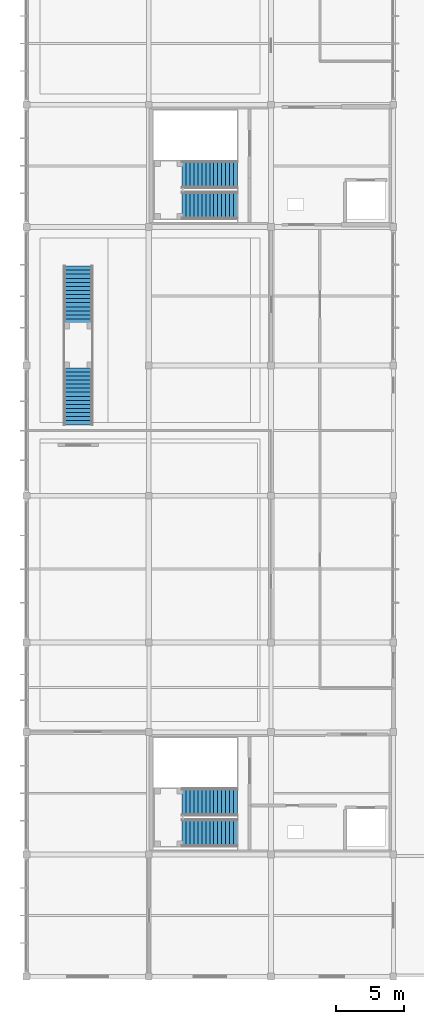
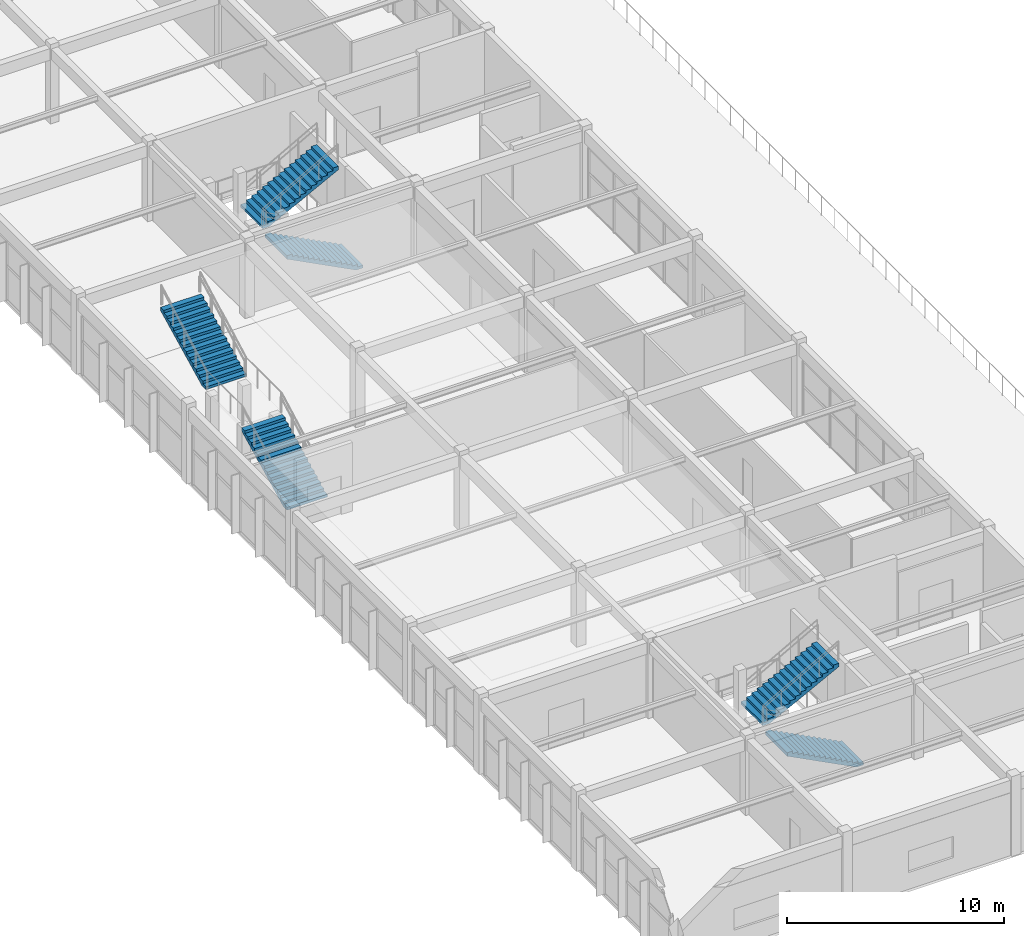
# One storey, part 17 of 22: 6 stair flights, 3 elements without a shape of their own.
"""IFC4 building model written with IfcOpenShell, lengths in metres."""

from ifc_helpers import new_model, si_unit, direction, frame, origin, place, context, subcontext, project, spatial, polyline, outline, extrude, material, type_object, element, aggregate, save


model = new_model("IFC4")

# Units and contexts
model_context = context("Model", 3, precision=1e-05, world=origin(), true_north=direction((0.0, 1.0)))
body_context = subcontext(model_context, "Body", "Model", "MODEL_VIEW")
ifc_project = project(units=[si_unit("LENGTHUNIT", "METRE"), si_unit("AREAUNIT", "SQUARE_METRE"), si_unit("VOLUMEUNIT", "CUBIC_METRE"), si_unit("PLANEANGLEUNIT", "RADIAN"), si_unit("MASSUNIT", "GRAM", prefix="KILO")], contexts=[model_context])

# Site, building, storey
site_placement = place(None, origin())
site = spatial("IfcSite", under=ifc_project, at=site_placement, CompositionType="ELEMENT")
building_placement = place(site_placement, origin())
building = spatial("IfcBuilding", under=site, at=building_placement, Name="Suirenkawa Promenade Aquatics Centre", CompositionType="ELEMENT")
storey_placement = place(building_placement, frame((0.0, 0.0, 14.10009765625)))
storey = spatial("IfcBuildingStorey", under=building, at=storey_placement, Name="L03", CompositionType="ELEMENT", Elevation=14.10009765625)

# Stair, stair flights
ifc_material = material(Name="Concrete M40", Category="concrete")
stair_type_1 = type_object("IfcStairType", Name="STT-CORE-2100-450", PredefinedType="TWO_STRAIGHT_RUN_STAIR", material=ifc_material)
stair_1_placement = place(storey_placement, origin())
stair_1 = element("IfcStair", 1, at=stair_1_placement, inside=storey, type_object=stair_type_1, Name="Protected exit stair STR-02 ST-05", PredefinedType="TWO_STRAIGHT_RUN_STAIR")
stair_flight_type_1 = type_object("IfcStairFlightType", Name="SFT-FLIGHT-2100", PredefinedType="STRAIGHT", material=ifc_material)
stair_flight_1_placement = place(storey_placement, frame((15.514892578125, 14.780029296875, 0.0), z_axis=(0.0, 0.0, 1.0), x_axis=(-1.0, 0.0, 0.0)))
stair_flight_1 = element("IfcStairFlight", 2, at=stair_flight_1_placement, type_object=stair_flight_type_1, Name="Stair flight SFL-01 FL-009", NumberOfRisers=15, NumberOfTreads=14, PredefinedType="STRAIGHT", RiserHeight=0.15, TreadLength=0.29, context=body_context, shape_type="SweptSolid", body=[
    extrude(outline(polyline([(0.0, 0.0), (0.0, 0.14990234375), (0.2900390625, 0.14990234375), (0.2900390625, 0.300048828125), (0.580078125, 0.300048828125), (0.580078125, 0.449951171875), (0.8701171875, 0.449951171875), (0.8701171875, 0.60009765625), (1.159912109375, 0.60009765625), (1.159912109375, 0.75), (1.449951171875, 0.75), (1.449951171875, 0.89990234375), (1.739990234375, 0.89990234375), (1.739990234375, 1.050048828125), (2.030029296875, 1.050048828125), (2.030029296875, 1.199951171875), (2.320068359375, 1.199951171875), (2.320068359375, 1.35009765625), (2.610107421875, 1.35009765625), (2.610107421875, 1.5), (2.89990234375, 1.5), (2.89990234375, 1.64990234375), (3.18994140625, 1.64990234375), (3.18994140625, 1.800048828125), (3.47998046875, 1.800048828125), (3.47998046875, 1.949951171875), (3.77001953125, 1.949951171875), (3.77001953125, 2.10009765625), (4.06005859375, 2.10009765625), (4.06005859375, 2.25), (4.06005859375, 1.90869140625), (0.369873046875, 0.0), (0.0, 0.0)])), frame((0.0, 1.010009765625, 0.0), z_axis=(0.0, -1.0, 0.0), x_axis=(1.0, 0.0, 0.0)), (0.0, 0.0, 1.0), 2.02001953125),
])
stair_flight_2_placement = place(storey_placement, frame((11.455078125, 17.050048828125, 2.25), z_axis=(0.0, 0.0, 1.0), x_axis=(1.0, 0.0, 0.0)))
stair_flight_2 = element("IfcStairFlight", 3, at=stair_flight_2_placement, type_object=stair_flight_type_1, Name="Stair flight SFL-01 FL-010", NumberOfRisers=15, NumberOfTreads=14, PredefinedType="STRAIGHT", RiserHeight=0.15, TreadLength=0.29, context=body_context, shape_type="SweptSolid", body=[
    extrude(outline(polyline([(0.0, 0.0), (0.0, 0.14990234375), (0.2900390625, 0.14990234375), (0.2900390625, 0.300048828125), (0.580078125, 0.300048828125), (0.580078125, 0.449951171875), (0.8701171875, 0.449951171875), (0.8701171875, 0.60009765625), (1.159912109375, 0.60009765625), (1.159912109375, 0.75), (1.449951171875, 0.75), (1.449951171875, 0.89990234375), (1.739990234375, 0.89990234375), (1.739990234375, 1.050048828125), (2.030029296875, 1.050048828125), (2.030029296875, 1.199951171875), (2.320068359375, 1.199951171875), (2.320068359375, 1.35009765625), (2.610107421875, 1.35009765625), (2.610107421875, 1.5), (2.89990234375, 1.5), (2.89990234375, 1.64990234375), (3.18994140625, 1.64990234375), (3.18994140625, 1.800048828125), (3.47998046875, 1.800048828125), (3.47998046875, 1.949951171875), (3.77001953125, 1.949951171875), (3.77001953125, 2.10009765625), (4.06005859375, 2.10009765625), (4.06005859375, 2.25), (4.06005859375, 1.90869140625), (0.369873046875, 0.0), (0.0, 0.0)])), frame((0.0, 1.010009765625, 0.0), z_axis=(0.0, -1.0, 0.0), x_axis=(1.0, 0.0, 0.0)), (0.0, 0.0, 1.0), 2.02001953125),
])
aggregate(stair_1, [stair_flight_1, stair_flight_2])

stair_2_placement = place(storey_placement, origin())
stair_2 = element("IfcStair", 4, at=stair_2_placement, inside=storey, type_object=stair_type_1, Name="Protected exit stair STR-02 ST-10", PredefinedType="TWO_STRAIGHT_RUN_STAIR")
stair_flight_3_placement = place(storey_placement, frame((15.514892578125, 60.97998046875, 0.0), z_axis=(0.0, 0.0, 1.0), x_axis=(-1.0, 0.0, 0.0)))
stair_flight_3 = element("IfcStairFlight", 5, at=stair_flight_3_placement, type_object=stair_flight_type_1, Name="Stair flight SFL-01 FL-019", NumberOfRisers=15, NumberOfTreads=14, PredefinedType="STRAIGHT", RiserHeight=0.15, TreadLength=0.29, context=body_context, shape_type="SweptSolid", body=[
    extrude(outline(polyline([(0.0, 0.0), (0.0, 0.14990234375), (0.2900390625, 0.14990234375), (0.2900390625, 0.300048828125), (0.580078125, 0.300048828125), (0.580078125, 0.449951171875), (0.8701171875, 0.449951171875), (0.8701171875, 0.60009765625), (1.159912109375, 0.60009765625), (1.159912109375, 0.75), (1.449951171875, 0.75), (1.449951171875, 0.89990234375), (1.739990234375, 0.89990234375), (1.739990234375, 1.050048828125), (2.030029296875, 1.050048828125), (2.030029296875, 1.199951171875), (2.320068359375, 1.199951171875), (2.320068359375, 1.35009765625), (2.610107421875, 1.35009765625), (2.610107421875, 1.5), (2.89990234375, 1.5), (2.89990234375, 1.64990234375), (3.18994140625, 1.64990234375), (3.18994140625, 1.800048828125), (3.47998046875, 1.800048828125), (3.47998046875, 1.949951171875), (3.77001953125, 1.949951171875), (3.77001953125, 2.10009765625), (4.06005859375, 2.10009765625), (4.06005859375, 2.25), (4.06005859375, 1.90869140625), (0.369873046875, 0.0), (0.0, 0.0)])), frame((0.0, 1.010009765625, 0.0), z_axis=(0.0, -1.0, 0.0), x_axis=(1.0, 0.0, 0.0)), (0.0, 0.0, 1.0), 2.02001953125),
])
stair_flight_4_placement = place(storey_placement, frame((11.455078125, 63.25, 2.25), z_axis=(0.0, 0.0, 1.0), x_axis=(1.0, 0.0, 0.0)))
stair_flight_4 = element("IfcStairFlight", 6, at=stair_flight_4_placement, type_object=stair_flight_type_1, Name="Stair flight SFL-01 FL-020", NumberOfRisers=15, NumberOfTreads=14, PredefinedType="STRAIGHT", RiserHeight=0.15, TreadLength=0.29, context=body_context, shape_type="SweptSolid", body=[
    extrude(outline(polyline([(0.0, 0.0), (0.0, 0.14990234375), (0.2900390625, 0.14990234375), (0.2900390625, 0.300048828125), (0.580078125, 0.300048828125), (0.580078125, 0.449951171875), (0.8701171875, 0.449951171875), (0.8701171875, 0.60009765625), (1.159912109375, 0.60009765625), (1.159912109375, 0.75), (1.449951171875, 0.75), (1.449951171875, 0.89990234375), (1.739990234375, 0.89990234375), (1.739990234375, 1.050048828125), (2.030029296875, 1.050048828125), (2.030029296875, 1.199951171875), (2.320068359375, 1.199951171875), (2.320068359375, 1.35009765625), (2.610107421875, 1.35009765625), (2.610107421875, 1.5), (2.89990234375, 1.5), (2.89990234375, 1.64990234375), (3.18994140625, 1.64990234375), (3.18994140625, 1.800048828125), (3.47998046875, 1.800048828125), (3.47998046875, 1.949951171875), (3.77001953125, 1.949951171875), (3.77001953125, 2.10009765625), (4.06005859375, 2.10009765625), (4.06005859375, 2.25), (4.06005859375, 1.90869140625), (0.369873046875, 0.0), (0.0, 0.0)])), frame((0.0, 1.010009765625, 0.0), z_axis=(0.0, -1.0, 0.0), x_axis=(1.0, 0.0, 0.0)), (0.0, 0.0, 1.0), 2.02001953125),
])
aggregate(stair_2, [stair_flight_3, stair_flight_4])

stair_type_2 = type_object("IfcStairType", Name="STT-FOYER-2600", PredefinedType="STRAIGHT_RUN_STAIR", material=ifc_material)
stair_3_placement = place(storey_placement, origin())
stair_3 = element("IfcStair", 7, at=stair_3_placement, inside=storey, type_object=stair_type_2, Name="Grand assembly cascade stair STR-05 ST-38", PredefinedType="STRAIGHT_RUN_STAIR")
stair_flight_type_2 = type_object("IfcStairFlightType", Name="SFT-FLIGHT-2600", PredefinedType="STRAIGHT", material=ifc_material)
stair_flight_5_placement = place(storey_placement, frame((3.800048828125, 44.830078125, 0.0), z_axis=(0.0, 0.0, 1.0), x_axis=(0.0, 1.0, 0.0)))
stair_flight_5 = element("IfcStairFlight", 8, at=stair_flight_5_placement, type_object=stair_flight_type_2, Name="Cascade flight SFL-04 FL-075", NumberOfRisers=15, NumberOfTreads=14, PredefinedType="STRAIGHT", RiserHeight=0.15, TreadLength=0.3, context=body_context, shape_type="SweptSolid", body=[
    extrude(outline(polyline([(0.0, 0.0), (0.0, 0.14990234375), (0.300048828125, 0.14990234375), (0.300048828125, 0.300048828125), (0.60009765625, 0.300048828125), (0.60009765625, 0.449951171875), (0.89990234375, 0.449951171875), (0.89990234375, 0.60009765625), (1.199951171875, 0.60009765625), (1.199951171875, 0.75), (1.5, 0.75), (1.5, 0.89990234375), (1.800048828125, 0.89990234375), (1.800048828125, 1.050048828125), (2.10009765625, 1.050048828125), (2.10009765625, 1.199951171875), (2.39990234375, 1.199951171875), (2.39990234375, 1.35009765625), (2.699951171875, 1.35009765625), (2.699951171875, 1.5), (3.0, 1.5), (3.0, 1.64990234375), (3.300048828125, 1.64990234375), (3.300048828125, 1.800048828125), (3.60009765625, 1.800048828125), (3.60009765625, 1.949951171875), (3.89990234375, 1.949951171875), (3.89990234375, 2.10009765625), (4.199951171875, 2.10009765625), (4.199951171875, 2.25), (4.199951171875, 1.909912109375), (0.3798828125, 0.0), (0.0, 0.0)])), frame((0.0, 1.074951171875, 0.0), z_axis=(0.0, -1.0, 0.0), x_axis=(1.0, 0.0, 0.0)), (0.0, 0.0, 1.0), 2.14990234375),
])
stair_flight_6_placement = place(storey_placement, frame((3.800048828125, 52.320068359375, 2.25), z_axis=(0.0, 0.0, 1.0), x_axis=(0.0, 1.0, 0.0)))
stair_flight_6 = element("IfcStairFlight", 9, at=stair_flight_6_placement, type_object=stair_flight_type_2, Name="Cascade flight SFL-04 FL-076", NumberOfRisers=15, NumberOfTreads=14, PredefinedType="STRAIGHT", RiserHeight=0.15, TreadLength=0.3, context=body_context, shape_type="SweptSolid", body=[
    extrude(outline(polyline([(0.0, 0.0), (0.0, 0.14990234375), (0.300048828125, 0.14990234375), (0.300048828125, 0.300048828125), (0.60009765625, 0.300048828125), (0.60009765625, 0.449951171875), (0.89990234375, 0.449951171875), (0.89990234375, 0.60009765625), (1.199951171875, 0.60009765625), (1.199951171875, 0.75), (1.5, 0.75), (1.5, 0.89990234375), (1.800048828125, 0.89990234375), (1.800048828125, 1.050048828125), (2.10009765625, 1.050048828125), (2.10009765625, 1.199951171875), (2.39990234375, 1.199951171875), (2.39990234375, 1.35009765625), (2.699951171875, 1.35009765625), (2.699951171875, 1.5), (3.0, 1.5), (3.0, 1.64990234375), (3.300048828125, 1.64990234375), (3.300048828125, 1.800048828125), (3.60009765625, 1.800048828125), (3.60009765625, 1.949951171875), (3.89990234375, 1.949951171875), (3.89990234375, 2.10009765625), (4.199951171875, 2.10009765625), (4.199951171875, 2.25), (4.199951171875, 1.909912109375), (0.3798828125, 0.0), (0.0, 0.0)])), frame((0.0, 1.074951171875, 0.0), z_axis=(0.0, -1.0, 0.0), x_axis=(1.0, 0.0, 0.0)), (0.0, 0.0, 1.0), 2.14990234375),
])
aggregate(stair_3, [stair_flight_5, stair_flight_6])

save(model, "model.ifc")
